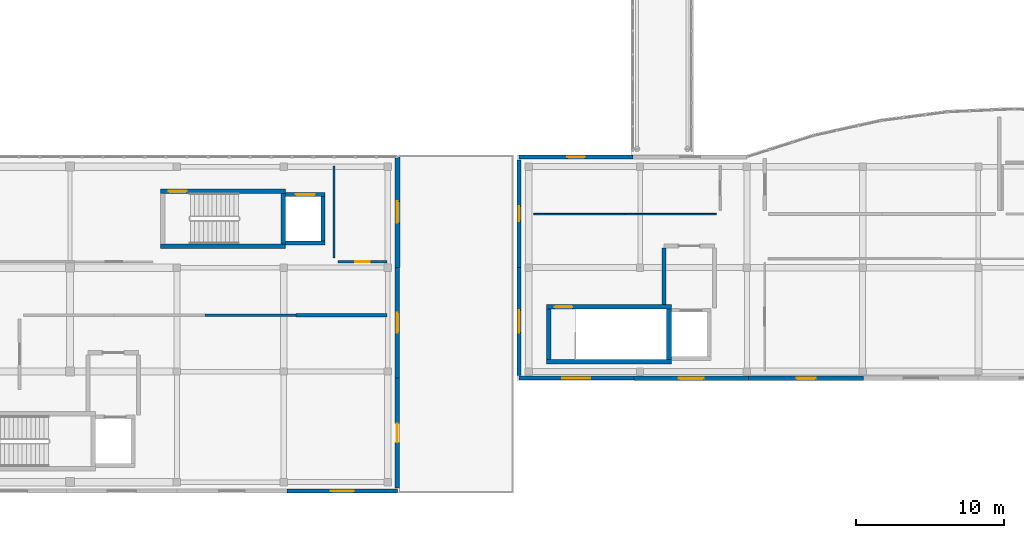
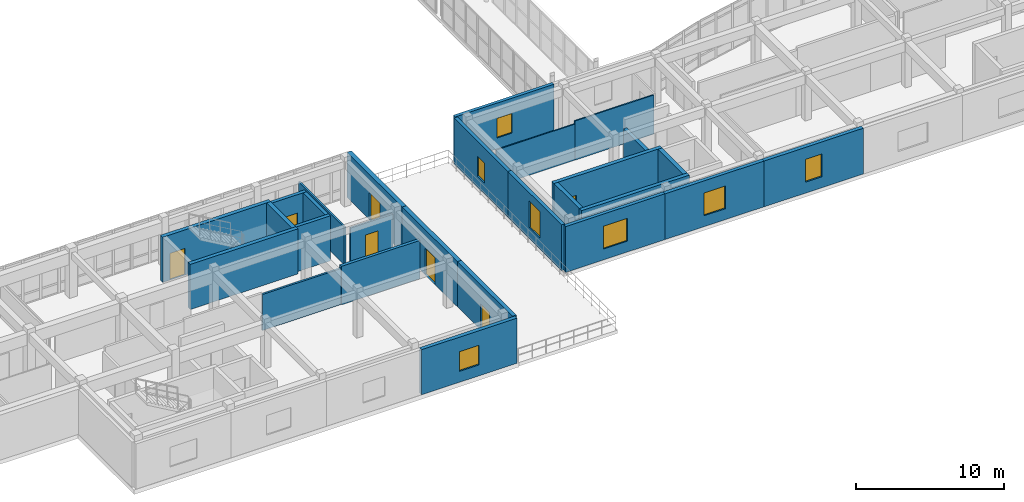
# One storey, part 47 of 52: 27 walls, 7 doors, 7 windows, 14 openings.
"""IFC4 building model written with IfcOpenShell, lengths in metres."""

from ifc_helpers import new_model, si_unit, direction, frame, frame_2d, origin, place, context, subcontext, project, spatial, rectangle, extrude, material, layer, layer_set, type_object, element, fill, save


model = new_model("IFC4")

# Units and contexts
model_context = context("Model", 3, precision=1e-05, world=origin(), true_north=direction((0.0, 1.0)))
body_context = subcontext(model_context, "Body", "Model", "MODEL_VIEW")
ifc_project = project(units=[si_unit("LENGTHUNIT", "METRE"), si_unit("AREAUNIT", "SQUARE_METRE"), si_unit("VOLUMEUNIT", "CUBIC_METRE"), si_unit("PLANEANGLEUNIT", "RADIAN"), si_unit("MASSUNIT", "GRAM", prefix="KILO")], contexts=[model_context])

# Site, building, storey
site_placement = place(None, origin())
site = spatial("IfcSite", under=ifc_project, at=site_placement, CompositionType="ELEMENT")
building_placement = place(site_placement, origin())
building = spatial("IfcBuilding", under=site, at=building_placement, Name="Valcora Specialist Clinic", CompositionType="ELEMENT")
storey_placement = place(building_placement, frame((0.0, 0.0, 17.679931640625)))
storey = spatial("IfcBuildingStorey", under=building, at=storey_placement, Name="L04", CompositionType="ELEMENT", Elevation=17.679931640625)

# Walls
ifc_material_1 = material(Name="Concrete C40/50", Category="concrete")
ifc_layer_1 = layer(ifc_material_1, 0.284912109375)
ifc_layer_set_1 = layer_set([ifc_layer_1], Name="Concrete C40/50")
wall_type_1 = type_object("IfcWallType", Name="TY-WL-CR285", PredefinedType="SHEAR", material=ifc_layer_set_1)
wall_1_placement = place(storey_placement, frame((63.419921875, 12.719970703125, 0.0), z_axis=(0.0, 0.0, 1.0), x_axis=(0.0, 1.0, 0.0)))
element("IfcWall", 1, at=wall_1_placement, inside=storey, type_object=wall_type_1, Name="Firefighting lobby west wall", PredefinedType="SHEAR", context=body_context, shape_type="SweptSolid", body=[
    extrude(rectangle(XDim=3.7900390625, YDim=0.284912109375, at=frame_2d((1.89501953125, 0.0))), origin(), (0.0, 0.0, 1.0), 3.074951171875),
])
ifc_layer_2 = layer(ifc_material_1, 0.300048828125)
ifc_layer_set_2 = layer_set([ifc_layer_2], Name="Concrete C40/50")
wall_type_2 = type_object("IfcWallType", Name="TY-WL-CR300", PredefinedType="SHEAR", material=ifc_layer_set_2)
wall_2_placement = place(storey_placement, frame((29.5, 16.64990234375, 0.0), z_axis=(0.0, 0.0, 1.0), x_axis=(1.0, 0.0, 0.0)))
element("IfcWall", 2, at=wall_2_placement, inside=storey, type_object=wall_type_2, Name="Core shear wall WL-CR-C-V5B-L04-S", PredefinedType="SHEAR", context=body_context, shape_type="SweptSolid", body=[
    extrude(rectangle(XDim=8.419921875, YDim=0.300048828125, at=frame_2d((4.2099609375, 0.0))), origin(), (0.0, 0.0, 1.0), 3.719970703125),
])

# Wall, opening, door
wall_3_placement = place(storey_placement, frame((29.5, 20.35009765625, 0.0), z_axis=(0.0, 0.0, 1.0), x_axis=(1.0, 0.0, 0.0)))
wall_3 = element("IfcWall", 3, at=wall_3_placement, inside=storey, type_object=wall_type_2, Name="Core shear wall WL-CR-C-V5B-L04-N", PredefinedType="SHEAR", context=body_context, shape_type="SweptSolid", body=[
    extrude(rectangle(XDim=8.419921875, YDim=0.300048828125, at=frame_2d((4.2099609375, 0.0))), origin(), (0.0, 0.0, 1.0), 3.719970703125),
])
opening_1_placement = place(wall_3_placement, frame((0.550048828125, 0.0, 0.0)))
opening_1 = element("IfcOpeningElement", 4, at=opening_1_placement, cuts=wall_3, Name="Opening DR-FD-120", PredefinedType="OPENING", context=body_context, shape_type="SweptSolid", body=[
    extrude(rectangle(XDim=1.199951171875, YDim=2.199951171875, at=frame_2d((0.60009765625, 1.10009765625))), frame((0.0, 0.159912109375, 0.0), z_axis=(0.0, -1.0, 0.0), x_axis=(1.0, 0.0, 0.0)), (0.0, 0.0, 1.0), 0.320068359375),
])
ifc_material_2 = material(Name="Galvanized Hollow Metal Door Steel ASTM A653", Category="steel")
door_type_1 = type_object("IfcDoorType", Name="TY-DR-ST120", OperationType="NOTDEFINED", PredefinedType="DOOR", material=ifc_material_2)
door_1_placement = place(opening_1_placement, origin())
door_1 = element("IfcDoor", 5, at=door_1_placement, inside=storey, type_object=door_type_1, Name="Exit stair fire door C-V5B L04", OperationType="SINGLE_SWING_LEFT", OverallHeight=2.199951171875, OverallWidth=1.199951171875, PredefinedType="DOOR", context=body_context, shape_type="SweptSolid", body=[
    extrude(rectangle(XDim=1.199951171875, YDim=2.199951171875, at=frame_2d((0.60009765625, 1.10009765625))), frame((0.0, 0.02490234375, 0.0), z_axis=(0.0, -1.0, 0.0), x_axis=(1.0, 0.0, 0.0)), (0.0, 0.0, 1.0), 0.050048828125),
])
fill(opening_1, door_1)

# Wall
wall_4_placement = place(storey_placement, frame((55.5, 8.85009765625, 0.0), z_axis=(0.0, 0.0, 1.0), x_axis=(1.0, 0.0, 0.0)))
element("IfcWall", 6, at=wall_4_placement, inside=storey, type_object=wall_type_2, Name="Core shear wall WL-CR-C-V6A-L04-S", PredefinedType="SHEAR", context=body_context, shape_type="SweptSolid", body=[
    extrude(rectangle(XDim=8.419921875, YDim=0.300048828125, at=frame_2d((4.2099609375, 0.0))), origin(), (0.0, 0.0, 1.0), 3.775146484375),
])

# Wall, opening, door
wall_5_placement = place(storey_placement, frame((55.5, 12.550048828125, 0.0), z_axis=(0.0, 0.0, 1.0), x_axis=(1.0, 0.0, 0.0)))
wall_5 = element("IfcWall", 7, at=wall_5_placement, inside=storey, type_object=wall_type_2, Name="Core shear wall WL-CR-C-V6A-L04-N", PredefinedType="SHEAR", context=body_context, shape_type="SweptSolid", body=[
    extrude(rectangle(XDim=8.419921875, YDim=0.300048828125, at=frame_2d((4.2099609375, 0.0))), origin(), (0.0, 0.0, 1.0), 3.775146484375),
])
opening_2_placement = place(wall_5_placement, frame((0.550048828125, 0.0, 0.0)))
opening_2 = element("IfcOpeningElement", 8, at=opening_2_placement, cuts=wall_5, Name="Opening DR-FD-120", PredefinedType="OPENING", context=body_context, shape_type="SweptSolid", body=[
    extrude(rectangle(XDim=1.199951171875, YDim=2.199951171875, at=frame_2d((0.60009765625, 1.10009765625))), frame((0.0, 0.159912109375, 0.0), z_axis=(0.0, -1.0, 0.0), x_axis=(1.0, 0.0, 0.0)), (0.0, 0.0, 1.0), 0.320068359375),
])
door_2_placement = place(opening_2_placement, origin())
door_2 = element("IfcDoor", 9, at=door_2_placement, inside=storey, type_object=door_type_1, Name="Exit stair fire door C-V6A L04", OperationType="SINGLE_SWING_LEFT", OverallHeight=2.199951171875, OverallWidth=1.199951171875, PredefinedType="DOOR", context=body_context, shape_type="SweptSolid", body=[
    extrude(rectangle(XDim=1.199951171875, YDim=2.199951171875, at=frame_2d((0.60009765625, 1.10009765625))), frame((0.0, 0.02490234375, 0.0), z_axis=(0.0, -1.0, 0.0), x_axis=(1.0, 0.0, 0.0)), (0.0, 0.0, 1.0), 0.050048828125),
])
fill(opening_2, door_2)

# Walls
wall_6_placement = place(storey_placement, frame((55.64990234375, 9.001953125, 0.0), z_axis=(0.0, 0.0, 1.0), x_axis=(0.0, 1.0, 0.0)))
element("IfcWall", 10, at=wall_6_placement, inside=storey, type_object=wall_type_2, Name="Core shear wall WL-CR-C-V6A-L04-W", PredefinedType="SHEAR", context=body_context, shape_type="SweptSolid", body=[
    extrude(rectangle(XDim=3.39599609375, YDim=0.300048828125, at=frame_2d((1.697998046875, 0.0))), origin(), (0.0, 0.0, 1.0), 3.775146484375),
])
ifc_layer_3 = layer(ifc_material_1, 0.320068359375)
ifc_layer_set_3 = layer_set([ifc_layer_3], Name="Concrete C40/50")
wall_type_3 = type_object("IfcWallType", Name="TY-WL-CR320", PredefinedType="SHEAR", material=ifc_layer_set_3)
wall_7_placement = place(storey_placement, frame((37.760009765625, 16.802001953125, 0.0), z_axis=(0.0, 0.0, 1.0), x_axis=(0.0, 1.0, 0.0)))
element("IfcWall", 11, at=wall_7_placement, inside=storey, type_object=wall_type_3, Name="Core shear wall WL-CR-C-V5B-L04-E", PredefinedType="SHEAR", context=body_context, shape_type="SweptSolid", body=[
    extrude(rectangle(XDim=3.39599609375, YDim=0.320068359375, at=frame_2d((1.697998046875, 0.0))), origin(), (0.0, 0.0, 1.0), 3.719970703125),
])
wall_8_placement = place(storey_placement, frame((63.760009765625, 9.001953125, 0.0), z_axis=(0.0, 0.0, 1.0), x_axis=(0.0, 1.0, 0.0)))
element("IfcWall", 12, at=wall_8_placement, inside=storey, type_object=wall_type_3, Name="Core shear wall WL-CR-C-V6A-L04-E", PredefinedType="SHEAR", context=body_context, shape_type="SweptSolid", body=[
    extrude(rectangle(XDim=3.39599609375, YDim=0.320068359375, at=frame_2d((1.697998046875, 0.0))), origin(), (0.0, 0.0, 1.0), 3.775146484375),
])

# Wall, opening, window
ifc_material_3 = material(Name="Extruded Jalisco Clay Brick Masonry", Category="masonry")
ifc_layer_4 = layer(ifc_material_3, 0.25)
ifc_layer_set_4 = layer_set([ifc_layer_4], Name="Extruded Jalisco Clay Brick Masonry")
wall_type_4 = type_object("IfcWallType", Name="TY-WL-EW250", PredefinedType="SOLIDWALL", material=ifc_layer_set_4)
wall_9_placement = place(storey_placement, frame((53.64990234375, 22.64990234375, 0.0), z_axis=(0.0, 0.0, 1.0), x_axis=(1.0, 0.0, 0.0)))
wall_9 = element("IfcWall", 13, at=wall_9_placement, inside=storey, type_object=wall_type_4, Name="Exterior wall WL-EXT-L04-0379", PredefinedType="SOLIDWALL", context=body_context, shape_type="SweptSolid", body=[
    extrude(rectangle(XDim=7.686767578125, YDim=0.25, at=frame_2d((3.84326171875, 0.0))), origin(), (0.0, 0.0, 1.0), 3.775146484375),
])
opening_3_placement = place(wall_9_placement, frame((3.2529296875, 0.0, 0.89990234375)))
opening_3 = element("IfcOpeningElement", 14, at=opening_3_placement, cuts=wall_9, Name="Opening WN-32", PredefinedType="OPENING", context=body_context, shape_type="SweptSolid", body=[
    extrude(rectangle(XDim=1.179931640625, YDim=1.6201171875, at=frame_2d((0.58984375, 0.81005859375))), frame((0.0, 0.135009765625, 0.0), z_axis=(0.0, -1.0, 0.0), x_axis=(1.0, 0.0, 0.0)), (0.0, 0.0, 1.0), 0.27001953125),
])
ifc_material_4 = material(Name="Low-E Laminated Insulating Glass", Category="glass")
window_type_1 = type_object("IfcWindowType", Name="TY-WN-32", PartitioningType="SINGLE_PANEL", PredefinedType="WINDOW", material=ifc_material_4)
window_1_placement = place(opening_3_placement, origin())
window_1 = element("IfcWindow", 15, at=window_1_placement, inside=storey, type_object=window_type_1, Name="Facade window WN-L04-0326", OverallHeight=1.6201171875, OverallWidth=1.179931640625, PartitioningType="SINGLE_PANEL", PredefinedType="WINDOW", context=body_context, shape_type="SweptSolid", body=[
    extrude(rectangle(XDim=1.179931640625, YDim=1.6201171875, at=frame_2d((0.58984375, 0.81005859375))), frame((0.0, 0.030029296875, 0.0), z_axis=(0.0, -1.0, 0.0), x_axis=(1.0, 0.0, 0.0)), (0.0, 0.0, 1.0), 0.06005859375),
])
fill(opening_3, window_1)

ifc_layer_5 = layer(ifc_material_3, 0.264892578125)
ifc_layer_set_5 = layer_set([ifc_layer_5], Name="Extruded Jalisco Clay Brick Masonry")
wall_type_5 = type_object("IfcWallType", Name="TY-WL-EW265", PredefinedType="SOLIDWALL", material=ifc_layer_set_5)
wall_10_placement = place(storey_placement, frame((53.64990234375, 15.199951171875, 0.0), z_axis=(0.0, 0.0, 1.0), x_axis=(0.0, 1.0, 0.0)))
wall_10 = element("IfcWall", 16, at=wall_10_placement, inside=storey, type_object=wall_type_5, Name="Exterior wall WL-EXT-L04-0378", PredefinedType="SOLIDWALL", context=body_context, shape_type="SweptSolid", body=[
    extrude(rectangle(XDim=7.260009765625, YDim=0.264892578125, at=frame_2d((3.6298828125, 0.0))), origin(), (0.0, 0.0, 1.0), 3.775146484375),
])
opening_4_placement = place(wall_10_placement, frame((3.1298828125, 0.0, 0.89990234375)))
opening_4 = element("IfcOpeningElement", 17, at=opening_4_placement, cuts=wall_10, Name="Opening WN-31", PredefinedType="OPENING", context=body_context, shape_type="SweptSolid", body=[
    extrude(rectangle(XDim=1.0, YDim=1.6201171875, at=frame_2d((0.5, 0.81005859375))), frame((0.0, 0.142333984375, 0.0), z_axis=(0.0, -1.0, 0.0), x_axis=(1.0, 0.0, 0.0)), (0.0, 0.0, 1.0), 0.284912109375),
])
window_type_2 = type_object("IfcWindowType", Name="TY-WN-31", PartitioningType="SINGLE_PANEL", PredefinedType="WINDOW", material=ifc_material_4)
window_2_placement = place(opening_4_placement, origin())
window_2 = element("IfcWindow", 18, at=window_2_placement, inside=storey, type_object=window_type_2, Name="Facade window WN-L04-0325", OverallHeight=1.6201171875, OverallWidth=1.0, PartitioningType="SINGLE_PANEL", PredefinedType="WINDOW", context=body_context, shape_type="SweptSolid", body=[
    extrude(rectangle(XDim=1.0, YDim=1.6201171875, at=frame_2d((0.5, 0.81005859375))), frame((0.0, 0.030029296875, 0.0), z_axis=(0.0, -1.0, 0.0), x_axis=(1.0, 0.0, 0.0)), (0.0, 0.0, 1.0), 0.06005859375),
])
fill(opening_4, window_2)

wall_11_placement = place(storey_placement, frame((61.38330078125, 7.75, 0.0), z_axis=(0.0, 0.0, 1.0), x_axis=(-1.0, 0.0, 0.0)))
wall_11 = element("IfcWall", 19, at=wall_11_placement, inside=storey, type_object=wall_type_5, Name="Exterior wall WL-EXT-L04-0388", PredefinedType="SOLIDWALL", context=body_context, shape_type="SweptSolid", body=[
    extrude(rectangle(XDim=7.7333984375, YDim=0.264892578125, at=frame_2d((3.86669921875, 0.0))), origin(), (0.0, 0.0, 1.0), 3.775146484375),
])
opening_5_placement = place(wall_11_placement, frame((2.927001953125, 0.0, 0.89990234375)))
opening_5 = element("IfcOpeningElement", 20, at=opening_5_placement, cuts=wall_11, Name="Opening WN-41", PredefinedType="OPENING", context=body_context, shape_type="SweptSolid", body=[
    extrude(rectangle(XDim=1.8798828125, YDim=1.8798828125, at=frame_2d((0.93994140625, 0.93994140625))), frame((0.0, 0.142333984375, 0.0), z_axis=(0.0, -1.0, 0.0), x_axis=(1.0, 0.0, 0.0)), (0.0, 0.0, 1.0), 0.284912109375),
])
window_type_3 = type_object("IfcWindowType", Name="TY-WN-41", PartitioningType="SINGLE_PANEL", PredefinedType="WINDOW", material=ifc_material_4)
window_3_placement = place(opening_5_placement, origin())
window_3 = element("IfcWindow", 21, at=window_3_placement, inside=storey, type_object=window_type_3, Name="Facade window WN-L04-0335", OverallHeight=1.8798828125, OverallWidth=1.8798828125, PartitioningType="SINGLE_PANEL", PredefinedType="WINDOW", context=body_context, shape_type="SweptSolid", body=[
    extrude(rectangle(XDim=1.8798828125, YDim=1.8798828125, at=frame_2d((0.93994140625, 0.93994140625))), frame((0.0, 0.030029296875, 0.0), z_axis=(0.0, -1.0, 0.0), x_axis=(1.0, 0.0, 0.0)), (0.0, 0.0, 1.0), 0.06005859375),
])
fill(opening_5, window_3)

ifc_layer_6 = layer(ifc_material_3, 0.280029296875)
ifc_layer_set_6 = layer_set([ifc_layer_6], Name="Extruded Jalisco Clay Brick Masonry")
wall_type_6 = type_object("IfcWallType", Name="TY-WL-EW280", PredefinedType="SOLIDWALL", material=ifc_layer_set_6)
wall_12_placement = place(storey_placement, frame((53.64990234375, 7.93994140625, 0.0), z_axis=(0.0, 0.0, 1.0), x_axis=(0.0, 1.0, 0.0)))
wall_12 = element("IfcWall", 22, at=wall_12_placement, inside=storey, type_object=wall_type_6, Name="Exterior wall WL-EXT-L04-0377", PredefinedType="SOLIDWALL", context=body_context, shape_type="SweptSolid", body=[
    extrude(rectangle(XDim=7.260009765625, YDim=0.280029296875, at=frame_2d((3.6298828125, 0.0))), origin(), (0.0, 0.0, 1.0), 3.775146484375),
])
opening_6_placement = place(wall_12_placement, frame((2.8798828125, 0.0, 0.89990234375)))
opening_6 = element("IfcOpeningElement", 23, at=opening_6_placement, cuts=wall_12, Name="Opening WN-30", PredefinedType="OPENING", context=body_context, shape_type="SweptSolid", body=[
    extrude(rectangle(XDim=1.5, YDim=2.199951171875, at=frame_2d((0.75, 1.10009765625))), frame((0.0, 0.14990234375, 0.0), z_axis=(0.0, -1.0, 0.0), x_axis=(1.0, 0.0, 0.0)), (0.0, 0.0, 1.0), 0.300048828125),
])
window_type_4 = type_object("IfcWindowType", Name="TY-WN-30", PartitioningType="SINGLE_PANEL", PredefinedType="WINDOW", material=ifc_material_4)
window_4_placement = place(opening_6_placement, origin())
window_4 = element("IfcWindow", 24, at=window_4_placement, inside=storey, type_object=window_type_4, Name="Facade window WN-L04-0324", OverallHeight=2.199951171875, OverallWidth=1.5, PartitioningType="SINGLE_PANEL", PredefinedType="WINDOW", context=body_context, shape_type="SweptSolid", body=[
    extrude(rectangle(XDim=1.5, YDim=2.199951171875, at=frame_2d((0.75, 1.10009765625))), frame((0.0, 0.030029296875, 0.0), z_axis=(0.0, -1.0, 0.0), x_axis=(1.0, 0.0, 0.0)), (0.0, 0.0, 1.0), 0.06005859375),
])
fill(opening_6, window_4)

wall_13_placement = place(storey_placement, frame((69.11669921875, 7.75, 0.0), z_axis=(0.0, 0.0, 1.0), x_axis=(-1.0, 0.0, 0.0)))
wall_13 = element("IfcWall", 25, at=wall_13_placement, inside=storey, type_object=wall_type_6, Name="Exterior wall WL-EXT-L04-0387", PredefinedType="SOLIDWALL", context=body_context, shape_type="SweptSolid", body=[
    extrude(rectangle(XDim=7.7333984375, YDim=0.280029296875, at=frame_2d((3.86669921875, 0.0))), origin(), (0.0, 0.0, 1.0), 3.775146484375),
])
opening_7_placement = place(wall_13_placement, frame((3.027099609375, 0.0, 0.89990234375)))
opening_7 = element("IfcOpeningElement", 26, at=opening_7_placement, cuts=wall_13, Name="Opening WN-40", PredefinedType="OPENING", context=body_context, shape_type="SweptSolid", body=[
    extrude(rectangle(XDim=1.679931640625, YDim=1.8798828125, at=frame_2d((0.83984375, 0.93994140625))), frame((0.0, 0.14990234375, 0.0), z_axis=(0.0, -1.0, 0.0), x_axis=(1.0, 0.0, 0.0)), (0.0, 0.0, 1.0), 0.300048828125),
])
window_type_5 = type_object("IfcWindowType", Name="TY-WN-40", PartitioningType="SINGLE_PANEL", PredefinedType="WINDOW", material=ifc_material_4)
window_5_placement = place(opening_7_placement, origin())
window_5 = element("IfcWindow", 27, at=window_5_placement, inside=storey, type_object=window_type_5, Name="Facade window WN-L04-0334", OverallHeight=1.8798828125, OverallWidth=1.679931640625, PartitioningType="SINGLE_PANEL", PredefinedType="WINDOW", context=body_context, shape_type="SweptSolid", body=[
    extrude(rectangle(XDim=1.679931640625, YDim=1.8798828125, at=frame_2d((0.83984375, 0.93994140625))), frame((0.0, 0.030029296875, 0.0), z_axis=(0.0, -1.0, 0.0), x_axis=(1.0, 0.0, 0.0)), (0.0, 0.0, 1.0), 0.06005859375),
])
fill(opening_7, window_5)

ifc_layer_7 = layer(ifc_material_3, 0.294921875)
ifc_layer_set_7 = layer_set([ifc_layer_7], Name="Extruded Jalisco Clay Brick Masonry")
wall_type_7 = type_object("IfcWallType", Name="TY-WL-EW295", PredefinedType="SOLIDWALL", material=ifc_layer_set_7)
wall_14_placement = place(storey_placement, frame((45.449951171875, 0.14990234375, 0.0), z_axis=(0.0, 0.0, 1.0), x_axis=(-1.0, 0.0, 0.0)))
wall_14 = element("IfcWall", 28, at=wall_14_placement, inside=storey, type_object=wall_type_7, Name="Exterior wall WL-EXT-L04-0286", PredefinedType="SOLIDWALL", context=body_context, shape_type="SweptSolid", body=[
    extrude(rectangle(XDim=7.425048828125, YDim=0.294921875, at=frame_2d((3.71240234375, 0.0))), origin(), (0.0, 0.0, 1.0), 3.719970703125),
])
opening_8_placement = place(wall_14_placement, frame((2.943115234375, 0.0, 0.89990234375)))
opening_8 = element("IfcOpeningElement", 29, at=opening_8_placement, cuts=wall_14, Name="Opening WN-34", PredefinedType="OPENING", context=body_context, shape_type="SweptSolid", body=[
    extrude(rectangle(XDim=1.5400390625, YDim=1.6201171875, at=frame_2d((0.77001953125, 0.81005859375))), frame((0.0, 0.157470703125, 0.0), z_axis=(0.0, -1.0, 0.0), x_axis=(1.0, 0.0, 0.0)), (0.0, 0.0, 1.0), 0.31494140625),
])
window_type_6 = type_object("IfcWindowType", Name="TY-WN-34", PartitioningType="SINGLE_PANEL", PredefinedType="WINDOW", material=ifc_material_4)
window_6_placement = place(opening_8_placement, origin())
window_6 = element("IfcWindow", 30, at=window_6_placement, inside=storey, type_object=window_type_6, Name="Facade window WN-L04-0244", OverallHeight=1.6201171875, OverallWidth=1.5400390625, PartitioningType="SINGLE_PANEL", PredefinedType="WINDOW", context=body_context, shape_type="SweptSolid", body=[
    extrude(rectangle(XDim=1.5400390625, YDim=1.6201171875, at=frame_2d((0.77001953125, 0.81005859375))), frame((0.0, 0.030029296875, 0.0), z_axis=(0.0, -1.0, 0.0), x_axis=(1.0, 0.0, 0.0)), (0.0, 0.0, 1.0), 0.06005859375),
])
fill(opening_8, window_6)

wall_15_placement = place(storey_placement, frame((76.85009765625, 7.75, 0.0), z_axis=(0.0, 0.0, 1.0), x_axis=(-1.0, 0.0, 0.0)))
wall_15 = element("IfcWall", 31, at=wall_15_placement, inside=storey, type_object=wall_type_7, Name="Exterior wall WL-EXT-L04-0386", PredefinedType="SOLIDWALL", context=body_context, shape_type="SweptSolid", body=[
    extrude(rectangle(XDim=7.7333984375, YDim=0.294921875, at=frame_2d((3.86669921875, 0.0))), origin(), (0.0, 0.0, 1.0), 3.775146484375),
])
opening_9_placement = place(wall_15_placement, frame((3.22705078125, 0.0, 0.89990234375)))
opening_9 = element("IfcOpeningElement", 32, at=opening_9_placement, cuts=wall_15, Name="Opening WN-39", PredefinedType="OPENING", context=body_context, shape_type="SweptSolid", body=[
    extrude(rectangle(XDim=1.280029296875, YDim=1.8798828125, at=frame_2d((0.64013671875, 0.93994140625))), frame((0.0, 0.157470703125, 0.0), z_axis=(0.0, -1.0, 0.0), x_axis=(1.0, 0.0, 0.0)), (0.0, 0.0, 1.0), 0.31494140625),
])
window_type_7 = type_object("IfcWindowType", Name="TY-WN-39", PartitioningType="SINGLE_PANEL", PredefinedType="WINDOW", material=ifc_material_4)
window_7_placement = place(opening_9_placement, origin())
window_7 = element("IfcWindow", 33, at=window_7_placement, inside=storey, type_object=window_type_7, Name="Facade window WN-L04-0333", OverallHeight=1.8798828125, OverallWidth=1.280029296875, PartitioningType="SINGLE_PANEL", PredefinedType="WINDOW", context=body_context, shape_type="SweptSolid", body=[
    extrude(rectangle(XDim=1.280029296875, YDim=1.8798828125, at=frame_2d((0.64013671875, 0.93994140625))), frame((0.0, 0.030029296875, 0.0), z_axis=(0.0, -1.0, 0.0), x_axis=(1.0, 0.0, 0.0)), (0.0, 0.0, 1.0), 0.06005859375),
])
fill(opening_9, window_7)

# Wall, opening, door
ifc_layer_8 = layer(ifc_material_3, 0.31005859375)
ifc_layer_set_8 = layer_set([ifc_layer_8], Name="Extruded Jalisco Clay Brick Masonry")
wall_type_8 = type_object("IfcWallType", Name="TY-WL-EW310", PredefinedType="SOLIDWALL", material=ifc_layer_set_8)
wall_16_placement = place(storey_placement, frame((45.449951171875, 7.776611328125, 0.0), z_axis=(0.0, 0.0, 1.0), x_axis=(0.0, -1.0, 0.0)))
wall_16 = element("IfcWall", 34, at=wall_16_placement, inside=storey, type_object=wall_type_8, Name="Exterior wall WL-EXT-L04-0285", PredefinedType="SOLIDWALL", context=body_context, shape_type="SweptSolid", body=[
    extrude(rectangle(XDim=7.4365234375, YDim=0.31005859375, at=frame_2d((3.71826171875, 0.0))), origin(), (0.0, 0.0, 1.0), 3.719970703125),
])
opening_10_placement = place(wall_16_placement, frame((3.093017578125, 0.0, 0.0)))
opening_10 = element("IfcOpeningElement", 35, at=opening_10_placement, cuts=wall_16, Name="Opening DR-TR-125", PredefinedType="OPENING", context=body_context, shape_type="SweptSolid", body=[
    extrude(rectangle(XDim=1.25, YDim=2.14990234375, at=frame_2d((0.625, 1.074951171875))), frame((0.0, 0.1650390625, 0.0), z_axis=(0.0, -1.0, 0.0), x_axis=(1.0, 0.0, 0.0)), (0.0, 0.0, 1.0), 0.330078125),
])
ifc_material_5 = material(Name="Anodized Bronze Aluminium 6063-T6", Category="aluminium")
door_type_2 = type_object("IfcDoorType", Name="TY-DR-TR125", OperationType="NOTDEFINED", PredefinedType="DOOR", material=ifc_material_5)
door_3_placement = place(opening_10_placement, origin())
door_3 = element("IfcDoor", 36, at=door_3_placement, inside=storey, type_object=door_type_2, Name="Exterior door DR-EXT-L04-018", OperationType="SINGLE_SWING_RIGHT", OverallHeight=2.14990234375, OverallWidth=1.25, PredefinedType="DOOR", context=body_context, shape_type="SweptSolid", body=[
    extrude(rectangle(XDim=1.25, YDim=2.14990234375, at=frame_2d((0.625, 1.074951171875))), frame((0.0, 0.02490234375, 0.0), z_axis=(0.0, -1.0, 0.0), x_axis=(1.0, 0.0, 0.0)), (0.0, 0.0, 1.0), 0.050048828125),
])
fill(opening_10, door_3)

ifc_layer_9 = layer(ifc_material_3, 0.324951171875)
ifc_layer_set_9 = layer_set([ifc_layer_9], Name="Extruded Jalisco Clay Brick Masonry")
wall_type_9 = type_object("IfcWallType", Name="TY-WL-EW325", PredefinedType="SOLIDWALL", material=ifc_layer_set_9)
wall_17_placement = place(storey_placement, frame((45.449951171875, 15.21337890625, 0.0), z_axis=(0.0, 0.0, 1.0), x_axis=(0.0, -1.0, 0.0)))
wall_17 = element("IfcWall", 37, at=wall_17_placement, inside=storey, type_object=wall_type_9, Name="Exterior wall WL-EXT-L04-0284", PredefinedType="SOLIDWALL", context=body_context, shape_type="SweptSolid", body=[
    extrude(rectangle(XDim=7.436767578125, YDim=0.324951171875, at=frame_2d((3.71826171875, 0.0))), origin(), (0.0, 0.0, 1.0), 3.719970703125),
])
opening_11_placement = place(wall_17_placement, frame((3.04296875, 0.0, 0.0)))
opening_11 = element("IfcOpeningElement", 38, at=opening_11_placement, cuts=wall_17, Name="Opening DR-TR-135", PredefinedType="OPENING", context=body_context, shape_type="SweptSolid", body=[
    extrude(rectangle(XDim=1.35009765625, YDim=2.199951171875, at=frame_2d((0.675048828125, 1.10009765625))), frame((0.0, 0.17236328125, 0.0), z_axis=(0.0, -1.0, 0.0), x_axis=(1.0, 0.0, 0.0)), (0.0, 0.0, 1.0), 0.344970703125),
])
door_type_3 = type_object("IfcDoorType", Name="TY-DR-TR135", OperationType="NOTDEFINED", PredefinedType="DOOR", material=ifc_material_5)
door_4_placement = place(opening_11_placement, origin())
door_4 = element("IfcDoor", 39, at=door_4_placement, inside=storey, type_object=door_type_3, Name="Exterior door DR-EXT-L04-017", OperationType="SINGLE_SWING_LEFT", OverallHeight=2.199951171875, OverallWidth=1.35009765625, PredefinedType="DOOR", context=body_context, shape_type="SweptSolid", body=[
    extrude(rectangle(XDim=1.35009765625, YDim=2.199951171875, at=frame_2d((0.675048828125, 1.10009765625))), frame((0.0, 0.02490234375, 0.0), z_axis=(0.0, -1.0, 0.0), x_axis=(1.0, 0.0, 0.0)), (0.0, 0.0, 1.0), 0.050048828125),
])
fill(opening_11, door_4)

ifc_layer_10 = layer(ifc_material_3, 0.340087890625)
ifc_layer_set_10 = layer_set([ifc_layer_10], Name="Extruded Jalisco Clay Brick Masonry")
wall_type_10 = type_object("IfcWallType", Name="TY-WL-EW340", PredefinedType="SOLIDWALL", material=ifc_layer_set_10)
wall_18_placement = place(storey_placement, frame((45.449951171875, 22.64990234375, 0.0), z_axis=(0.0, 0.0, 1.0), x_axis=(0.0, -1.0, 0.0)))
wall_18 = element("IfcWall", 40, at=wall_18_placement, inside=storey, type_object=wall_type_10, Name="Exterior wall WL-EXT-L04-0283", PredefinedType="SOLIDWALL", context=body_context, shape_type="SweptSolid", body=[
    extrude(rectangle(XDim=7.4365234375, YDim=0.340087890625, at=frame_2d((3.71826171875, 0.0))), origin(), (0.0, 0.0, 1.0), 3.719970703125),
])
opening_12_placement = place(wall_18_placement, frame((2.992919921875, 0.0, 0.0)))
opening_12 = element("IfcOpeningElement", 41, at=opening_12_placement, cuts=wall_18, Name="Opening DR-TR-145", PredefinedType="OPENING", context=body_context, shape_type="SweptSolid", body=[
    extrude(rectangle(XDim=1.449951171875, YDim=2.199951171875, at=frame_2d((0.72509765625, 1.10009765625))), frame((0.0, 0.179931640625, 0.0), z_axis=(0.0, -1.0, 0.0), x_axis=(1.0, 0.0, 0.0)), (0.0, 0.0, 1.0), 0.360107421875),
])
door_type_4 = type_object("IfcDoorType", Name="TY-DR-TR145", OperationType="NOTDEFINED", PredefinedType="DOOR", material=ifc_material_5)
door_5_placement = place(opening_12_placement, origin())
door_5 = element("IfcDoor", 42, at=door_5_placement, inside=storey, type_object=door_type_4, Name="Exterior door DR-EXT-L04-016", OperationType="SINGLE_SWING_RIGHT", OverallHeight=2.199951171875, OverallWidth=1.449951171875, PredefinedType="DOOR", context=body_context, shape_type="SweptSolid", body=[
    extrude(rectangle(XDim=1.449951171875, YDim=2.199951171875, at=frame_2d((0.72509765625, 1.10009765625))), frame((0.0, 0.02490234375, 0.0), z_axis=(0.0, -1.0, 0.0), x_axis=(1.0, 0.0, 0.0)), (0.0, 0.0, 1.0), 0.050048828125),
])
fill(opening_12, door_5)

# Walls
ifc_material_6 = material(Name="Gypsum Board Partition Assembly")
ifc_layer_11 = layer(ifc_material_6, 0.094970703125)
ifc_layer_set_11 = layer_set([ifc_layer_11], Name="Gypsum Board Partition Assembly")
wall_type_11 = type_object("IfcWallType", Name="TY-WL-PT095", PredefinedType="PARTITIONING", material=ifc_layer_set_11)
wall_19_placement = place(storey_placement, frame((60.800048828125, 18.800048828125, 0.0), z_axis=(0.0, 0.0, 1.0), x_axis=(-1.0, 0.0, 0.0)))
element("IfcWall", 43, at=wall_19_placement, inside=storey, type_object=wall_type_11, Name="Interior partition WL-INT-L04-0491", PredefinedType="PARTITIONING", context=body_context, shape_type="SweptSolid", body=[
    extrude(rectangle(XDim=6.150146484375, YDim=0.094970703125, at=frame_2d((3.0751953125, 0.0))), origin(), (0.0, 0.0, 1.0), 2.97509765625),
])
ifc_layer_12 = layer(ifc_material_6, 0.10498046875)
ifc_layer_set_12 = layer_set([ifc_layer_12], Name="Gypsum Board Partition Assembly")
wall_type_12 = type_object("IfcWallType", Name="TY-WL-PT105", PredefinedType="PARTITIONING", material=ifc_layer_set_12)
wall_20_placement = place(storey_placement, frame((66.949951171875, 18.800048828125, 0.0), z_axis=(0.0, 0.0, 1.0), x_axis=(-1.0, 0.0, 0.0)))
element("IfcWall", 44, at=wall_20_placement, inside=storey, type_object=wall_type_12, Name="Interior partition WL-INT-L04-0490", PredefinedType="PARTITIONING", context=body_context, shape_type="SweptSolid", body=[
    extrude(rectangle(XDim=6.14990234375, YDim=0.10498046875, at=frame_2d((3.074951171875, 0.0))), origin(), (0.0, 0.0, 1.0), 3.22509765625),
])
ifc_layer_13 = layer(ifc_material_6, 0.135009765625)
ifc_layer_set_13 = layer_set([ifc_layer_13], Name="Gypsum Board Partition Assembly")
wall_type_13 = type_object("IfcWallType", Name="TY-WL-PT135", PredefinedType="PARTITIONING", material=ifc_layer_set_13)
wall_21_placement = place(storey_placement, frame((41.199951171875, 15.85009765625, 0.0), z_axis=(0.0, 0.0, 1.0), x_axis=(0.0, 1.0, 0.0)))
element("IfcWall", 45, at=wall_21_placement, inside=storey, type_object=wall_type_13, Name="Interior partition WL-INT-L04-0475", PredefinedType="PARTITIONING", context=body_context, shape_type="SweptSolid", body=[
    extrude(rectangle(XDim=6.199951171875, YDim=0.135009765625, at=frame_2d((3.10009765625, 0.0))), origin(), (0.0, 0.0, 1.0), 3.1201171875),
])

# Wall, opening, door
ifc_layer_14 = layer(ifc_material_6, 0.14501953125)
ifc_layer_set_14 = layer_set([ifc_layer_14], Name="Gypsum Board Partition Assembly")
wall_type_14 = type_object("IfcWallType", Name="TY-WL-PT145", PredefinedType="PARTITIONING", material=ifc_layer_set_14)
wall_22_placement = place(storey_placement, frame((44.75, 15.60009765625, 0.0), z_axis=(0.0, 0.0, 1.0), x_axis=(-1.0, 0.0, 0.0)))
wall_22 = element("IfcWall", 46, at=wall_22_placement, inside=storey, type_object=wall_type_14, Name="Interior partition WL-INT-L04-0474", PredefinedType="PARTITIONING", context=body_context, shape_type="SweptSolid", body=[
    extrude(rectangle(XDim=3.300048828125, YDim=0.14501953125, at=frame_2d((1.64990234375, 0.0))), origin(), (0.0, 0.0, 1.0), 3.1201171875),
])
opening_13_placement = place(wall_22_placement, frame((1.159912109375, 0.0, 0.0)))
opening_13 = element("IfcOpeningElement", 47, at=opening_13_placement, cuts=wall_22, Name="Opening DR-CN-098", PredefinedType="OPENING", context=body_context, shape_type="SweptSolid", body=[
    extrude(rectangle(XDim=0.97998046875, YDim=2.14990234375, at=frame_2d((0.489990234375, 1.074951171875))), frame((0.0, 0.08251953125, 0.0), z_axis=(0.0, -1.0, 0.0), x_axis=(1.0, 0.0, 0.0)), (0.0, 0.0, 1.0), 0.1650390625),
])
ifc_material_7 = material(Name="Glulam Conifer Class 24F", Category="wood")
door_type_5 = type_object("IfcDoorType", Name="TY-DR-CN098", OperationType="NOTDEFINED", PredefinedType="DOOR", material=ifc_material_7)
door_6_placement = place(opening_13_placement, origin())
door_6 = element("IfcDoor", 48, at=door_6_placement, inside=storey, type_object=door_type_5, Name="Interior door DR-INT-L04-0133", OperationType="SINGLE_SWING_LEFT", OverallHeight=2.14990234375, OverallWidth=0.97998046875, PredefinedType="DOOR", context=body_context, shape_type="SweptSolid", body=[
    extrude(rectangle(XDim=0.97998046875, YDim=2.14990234375, at=frame_2d((0.489990234375, 1.074951171875))), frame((0.0, 0.02490234375, 0.0), z_axis=(0.0, -1.0, 0.0), x_axis=(1.0, 0.0, 0.0)), (0.0, 0.0, 1.0), 0.050048828125),
])
fill(opening_13, door_6)

# Walls
ifc_layer_15 = layer(ifc_material_6, 0.155029296875)
ifc_layer_set_15 = layer_set([ifc_layer_15], Name="Gypsum Board Partition Assembly")
wall_type_15 = type_object("IfcWallType", Name="TY-WL-PT155", PredefinedType="PARTITIONING", material=ifc_layer_set_15)
wall_23_placement = place(storey_placement, frame((32.5, 12.0, 0.0), z_axis=(0.0, 0.0, 1.0), x_axis=(1.0, 0.0, 0.0)))
element("IfcWall", 49, at=wall_23_placement, inside=storey, type_object=wall_type_15, Name="Interior partition WL-INT-L04-0463", PredefinedType="PARTITIONING", context=body_context, shape_type="SweptSolid", body=[
    extrude(rectangle(XDim=6.125, YDim=0.155029296875, at=frame_2d((3.0625, 0.0))), origin(), (0.0, 0.0, 1.0), 2.969970703125),
])
ifc_material_8 = material(Name="Lead-Lined Gypsum Partition Assembly")
ifc_layer_16 = layer(ifc_material_8, 0.22998046875)
ifc_layer_set_16 = layer_set([ifc_layer_16], Name="Lead-Lined Gypsum Partition Assembly")
wall_type_16 = type_object("IfcWallType", Name="TY-WL-PT230", PredefinedType="PARTITIONING", material=ifc_layer_set_16)
wall_24_placement = place(storey_placement, frame((38.625, 12.0, 0.0), z_axis=(0.0, 0.0, 1.0), x_axis=(1.0, 0.0, 0.0)))
element("IfcWall", 50, at=wall_24_placement, inside=storey, type_object=wall_type_16, Name="Interior partition WL-INT-L04-0464", PredefinedType="PARTITIONING", context=body_context, shape_type="SweptSolid", body=[
    extrude(rectangle(XDim=6.125, YDim=0.22998046875, at=frame_2d((3.0625, 0.0))), origin(), (0.0, 0.0, 1.0), 3.170166015625),
])
ifc_layer_17 = layer(ifc_material_1, 0.260009765625)
ifc_layer_set_17 = layer_set([ifc_layer_17], Name="Concrete C40/50")
wall_type_17 = type_object("IfcWallType", Name="TY-WL-SH260", PredefinedType="SHEAR", material=ifc_layer_set_17)
wall_25_placement = place(storey_placement, frame((37.922119140625, 16.8701171875, 0.0), z_axis=(0.0, 0.0, 1.0), x_axis=(1.0, 0.0, 0.0)))
element("IfcWall", 51, at=wall_25_placement, inside=storey, type_object=wall_type_17, Name="Lift shaft wall WL-LF-LF-06-L04-LS", PredefinedType="SHEAR", context=body_context, shape_type="SweptSolid", body=[
    extrude(rectangle(XDim=2.657958984375, YDim=0.260009765625, at=frame_2d((1.3291015625, 0.0))), origin(), (0.0, 0.0, 1.0), 3.719970703125),
])

# Wall, opening, door
wall_26_placement = place(storey_placement, frame((37.922119140625, 20.1298828125, 0.0), z_axis=(0.0, 0.0, 1.0), x_axis=(1.0, 0.0, 0.0)))
wall_26 = element("IfcWall", 52, at=wall_26_placement, inside=storey, type_object=wall_type_17, Name="Lift shaft wall WL-LF-LF-06-L04-LN", PredefinedType="SHEAR", context=body_context, shape_type="SweptSolid", body=[
    extrude(rectangle(XDim=2.657958984375, YDim=0.260009765625, at=frame_2d((1.3291015625, 0.0))), origin(), (0.0, 0.0, 1.0), 3.719970703125),
])
opening_14_placement = place(wall_26_placement, frame((0.678955078125, 0.0, 0.0)))
opening_14 = element("IfcOpeningElement", 53, at=opening_14_placement, cuts=wall_26, Name="Opening LD-130", PredefinedType="OPENING", context=body_context, shape_type="SweptSolid", body=[
    extrude(rectangle(XDim=1.300048828125, YDim=2.199951171875, at=frame_2d((0.64990234375, 1.10009765625))), frame((0.0, 0.139892578125, 0.0), z_axis=(0.0, -1.0, 0.0), x_axis=(1.0, 0.0, 0.0)), (0.0, 0.0, 1.0), 0.280029296875),
])
ifc_material_9 = material(Name="Stainless Steel AISI 316", Category="steel")
door_type_6 = type_object("IfcDoorType", Name="TY-LD-130", OperationType="NOTDEFINED", PredefinedType="DOOR", material=ifc_material_9)
door_7_placement = place(opening_14_placement, origin())
door_7 = element("IfcDoor", 54, at=door_7_placement, inside=storey, type_object=door_type_6, Name="Lift landing sliding door LF-06 L04", OperationType="SLIDING_TO_LEFT", OverallHeight=2.199951171875, OverallWidth=1.300048828125, PredefinedType="DOOR", context=body_context, shape_type="SweptSolid", body=[
    extrude(rectangle(XDim=1.300048828125, YDim=2.199951171875, at=frame_2d((0.64990234375, 1.10009765625))), frame((0.0, 0.02490234375, 0.0), z_axis=(0.0, -1.0, 0.0), x_axis=(1.0, 0.0, 0.0)), (0.0, 0.0, 1.0), 0.050048828125),
])
fill(opening_14, door_7)

# Wall
wall_27_placement = place(storey_placement, frame((40.449951171875, 17.001953125, 0.0), z_axis=(0.0, 0.0, 1.0), x_axis=(0.0, 1.0, 0.0)))
element("IfcWall", 55, at=wall_27_placement, inside=storey, type_object=wall_type_17, Name="Lift shaft wall WL-LF-LF-06-L04-LE", PredefinedType="SHEAR", context=body_context, shape_type="SweptSolid", body=[
    extrude(rectangle(XDim=2.99609375, YDim=0.260009765625, at=frame_2d((1.498046875, 0.0))), origin(), (0.0, 0.0, 1.0), 3.719970703125),
])

save(model, "model.ifc")
